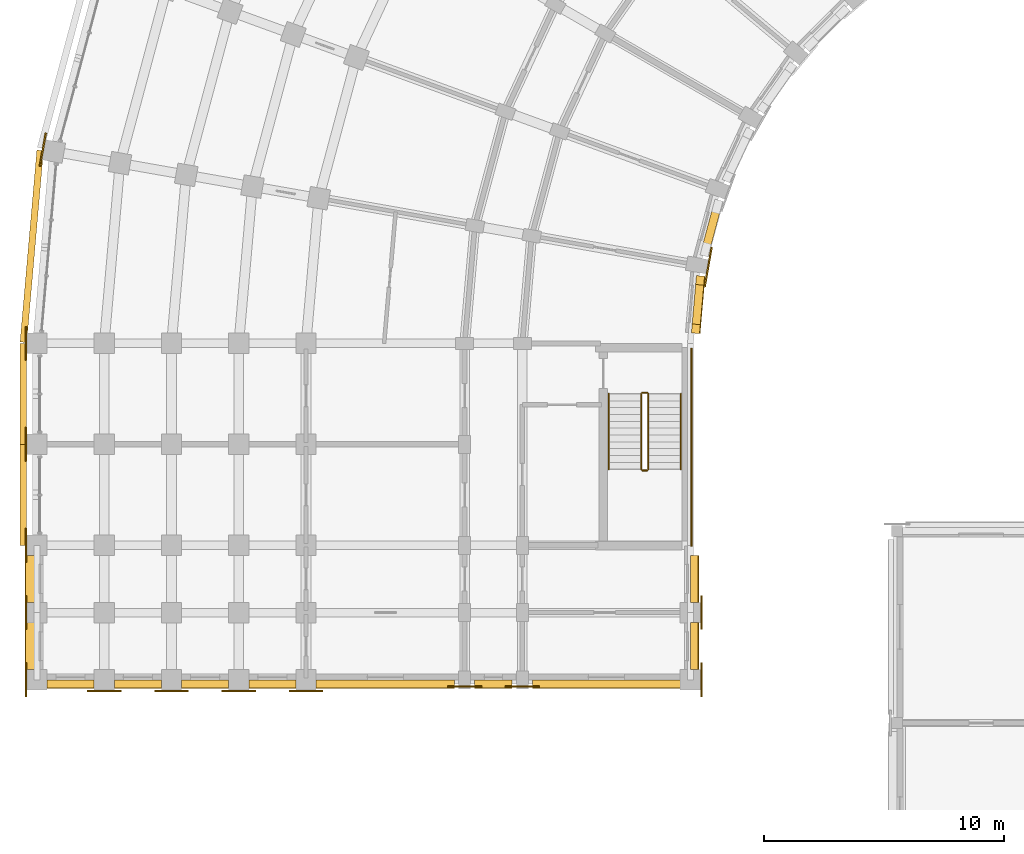
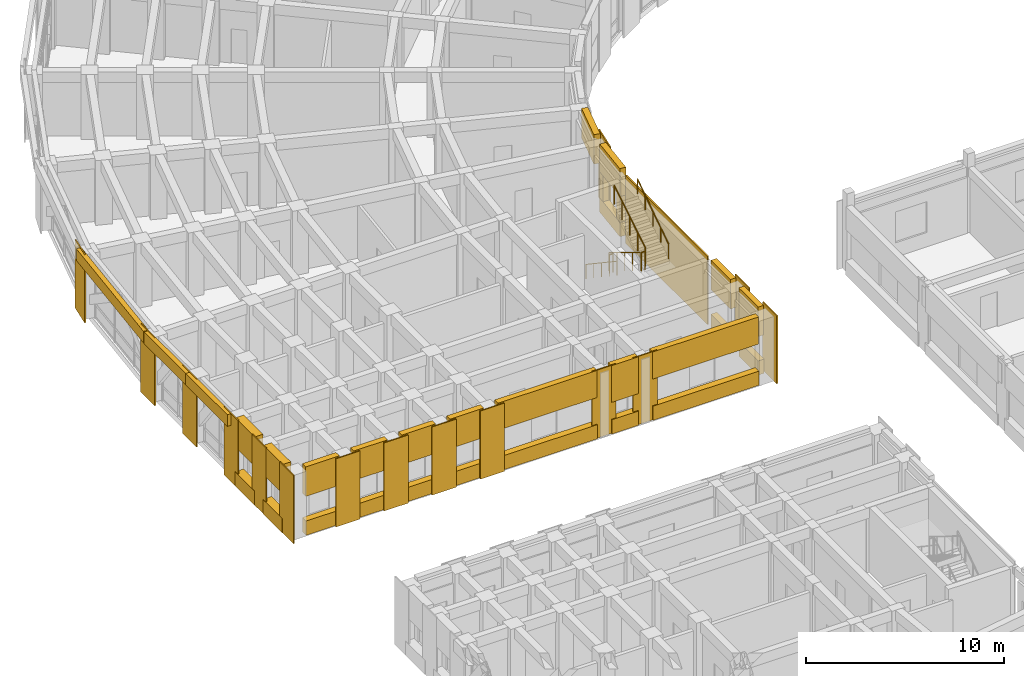
# One storey, part 89 of 97: 46 coverings, 6 railings.
"""IFC4 building model written with IfcOpenShell, lengths in metres."""

from ifc_helpers import new_model, si_unit, direction, frame, origin, origin_2d, place, context, subcontext, project, spatial, polyline, circle, outline, extrude, material, layer, layer_set, type_object, element, save


model = new_model("IFC4")

# Units and contexts
model_context = context("Model", 3, precision=1e-05, world=origin(), true_north=direction((0.0, 1.0)))
body_context = subcontext(model_context, "Body", "Model", "MODEL_VIEW")
ifc_project = project(units=[si_unit("LENGTHUNIT", "METRE"), si_unit("AREAUNIT", "SQUARE_METRE"), si_unit("VOLUMEUNIT", "CUBIC_METRE"), si_unit("PLANEANGLEUNIT", "RADIAN"), si_unit("MASSUNIT", "GRAM", prefix="KILO")], contexts=[model_context])

# Site, building, storey
site_placement = place(None, origin())
site = spatial("IfcSite", under=ifc_project, at=site_placement, CompositionType="ELEMENT")
building_placement = place(site_placement, origin())
building = spatial("IfcBuilding", under=site, at=building_placement, Name="Kiranvali Square Residences", CompositionType="ELEMENT")
storey_placement = place(building_placement, frame((0.0, 0.0, 4.5)))
storey = spatial("IfcBuildingStorey", under=building, at=storey_placement, Name="L01", CompositionType="ELEMENT", Elevation=4.5)

# Coverings
ifc_material_1 = material(Name="Carved Porbandar limestone classical entablature and cornice", Category="masonry")
ifc_layer_1 = layer(ifc_material_1, 0.449951171875)
ifc_layer_set_1 = layer_set([ifc_layer_1], Name="Carved Porbandar limestone classical entablature and cornice")
covering_type_1 = type_object("IfcCoveringType", Name="COV-CLAD-CORN", PredefinedType="CLADDING", material=ifc_layer_set_1)
covering_1_placement = place(storey_placement, frame((0.0, 0.0, 3.47998046875)))
element("IfcCovering", 1, at=covering_1_placement, inside=storey, type_object=covering_type_1, Name="Block A L01 Classical Ottoman arcade entablature 9", PredefinedType="CLADDING", context=body_context, shape_type="SweptSolid", body=[
    extrude(outline(polyline([(2.196533203125, 95.849365234375), (1.49755859375, 87.861328125), (1.774658203125, 87.837158203125), (2.473388671875, 95.824951171875), (2.196533203125, 95.849365234375)])), origin(), (0.0, 0.0, 1.0), 0.715087890625),
])
covering_2_placement = place(storey_placement, frame((0.0, 0.0, 3.47998046875)))
element("IfcCovering", 2, at=covering_2_placement, inside=storey, type_object=covering_type_1, Name="Block A L01 Arm 2 street arcade cornice 1", PredefinedType="CLADDING", context=body_context, shape_type="SweptSolid", body=[
    extrude(outline(polyline([(1.4951171875, 87.800048828125), (1.4951171875, 83.60009765625), (1.77294921875, 83.60009765625), (1.77294921875, 87.800048828125), (1.4951171875, 87.800048828125)])), origin(), (0.0, 0.0, 1.0), 0.715087890625),
])
covering_3_placement = place(storey_placement, frame((0.0, 0.0, 3.47998046875)))
element("IfcCovering", 3, at=covering_3_placement, inside=storey, type_object=covering_type_1, Name="Block A L01 Arm 2 street arcade cornice 2", PredefinedType="CLADDING", context=body_context, shape_type="SweptSolid", body=[
    extrude(outline(polyline([(1.4951171875, 83.60009765625), (1.4951171875, 79.39990234375), (1.77294921875, 79.39990234375), (1.77294921875, 83.60009765625), (1.4951171875, 83.60009765625)])), origin(), (0.0, 0.0, 1.0), 0.715087890625),
])
ifc_material_2 = material(Name="Honed Porbandar limestone ashlar facade cladding", Category="masonry")
ifc_layer_2 = layer(ifc_material_2, 0.3798828125)
ifc_layer_set_2 = layer_set([ifc_layer_2], Name="Honed Porbandar limestone ashlar facade cladding")
covering_type_2 = type_object("IfcCoveringType", Name="COV-CLAD-JAMB", PredefinedType="CLADDING", material=ifc_layer_set_2)
covering_4_placement = place(storey_placement, frame((0.0, 0.0, 0.8798828125)))
element("IfcCovering", 4, at=covering_4_placement, inside=storey, type_object=covering_type_2, Name="L01 deep limestone window jamb reveal A-L01-GDN-08.L", PredefinedType="CLADDING", context=body_context, shape_type="SweptSolid", body=[
    extrude(outline(polyline([(29.647705078125, 90.626220703125), (29.615234375, 90.254150390625), (29.953369140625, 90.224609375), (29.986083984375, 90.5966796875), (29.647705078125, 90.626220703125)])), origin(), (0.0, 0.0, 1.0), 1.60009765625),
])
covering_5_placement = place(storey_placement, frame((0.0, 0.0, 0.8798828125)))
element("IfcCovering", 5, at=covering_5_placement, inside=storey, type_object=covering_type_2, Name="L01 deep limestone window jamb reveal A-L01-GDN-08.R", PredefinedType="CLADDING", context=body_context, shape_type="SweptSolid", body=[
    extrude(outline(polyline([(29.471435546875, 88.6103515625), (29.43896484375, 88.23828125), (29.777099609375, 88.208740234375), (29.8095703125, 88.580810546875), (29.471435546875, 88.6103515625)])), origin(), (0.0, 0.0, 1.0), 1.60009765625),
])
ifc_layer_3 = layer(ifc_material_2, 0.06494140625)
ifc_layer_set_3 = layer_set([ifc_layer_3], Name="Honed Porbandar limestone ashlar facade cladding")
covering_type_3 = type_object("IfcCoveringType", Name="COV-CLAD-PIER", PredefinedType="CLADDING", material=ifc_layer_set_3)
covering_6_placement = place(storey_placement, frame((0.0, 0.0, 0.0048828125)))
element("IfcCovering", 6, at=covering_6_placement, inside=storey, type_object=covering_type_3, Name="Block A L01 Arm 2 stair limestone ashlar cladding", PredefinedType="CLADDING", context=body_context, shape_type="SweptSolid", body=[
    extrude(outline(polyline([(29.402099609375, 87.60009765625), (29.402099609375, 79.35009765625), (29.47998046875, 79.35009765625), (29.47998046875, 87.60009765625), (29.402099609375, 87.60009765625)])), origin(), (0.0, 0.0, 1.0), 4.190185546875),
])
ifc_layer_4 = layer(ifc_material_2, 0.050048828125)
ifc_layer_set_4 = layer_set([ifc_layer_4], Name="Honed Porbandar limestone ashlar facade cladding")
covering_type_4 = type_object("IfcCoveringType", Name="COV-CLAD-PIER-IN", PredefinedType="CLADDING", material=ifc_layer_set_4)
covering_7_placement = place(storey_placement, frame((0.0, 0.0, 0.0048828125)))
element("IfcCovering", 7, at=covering_7_placement, inside=storey, type_object=covering_type_4, Name="L01 Classical garden courtyard pilaster CLAD-PRIN-A-L01-A08", PredefinedType="CLADDING", context=body_context, shape_type="SweptSolid", body=[
    extrude(outline(polyline([(30.02783203125, 90.16650390625), (30.314453125, 91.79150390625), (30.247802734375, 91.80322265625), (29.96142578125, 90.17822265625), (30.02783203125, 90.16650390625)])), origin(), (0.0, 0.0, 1.0), 4.190185546875),
])
covering_8_placement = place(storey_placement, frame((0.0, 0.0, 0.0048828125)))
element("IfcCovering", 8, at=covering_8_placement, inside=storey, type_object=covering_type_4, Name="L01 Classical limestone pilaster casing CLAD-PRA2I-A-L01-V112", PredefinedType="CLADDING", context=body_context, shape_type="SweptSolid", body=[
    extrude(outline(polyline([(29.825439453125, 77.304931640625), (29.825439453125, 75.89501953125), (29.89306640625, 75.89501953125), (29.89306640625, 77.304931640625), (29.825439453125, 77.304931640625)])), origin(), (0.0, 0.0, 1.0), 4.190185546875),
])
covering_9_placement = place(storey_placement, frame((0.0, 0.0, 0.0048828125)))
element("IfcCovering", 9, at=covering_9_placement, inside=storey, type_object=covering_type_4, Name="L01 Classical limestone pilaster casing CLAD-PRA2I-A-L01-V140", PredefinedType="CLADDING", context=body_context, shape_type="SweptSolid", body=[
    extrude(outline(polyline([(29.825439453125, 74.5048828125), (29.825439453125, 73.094970703125), (29.89306640625, 73.094970703125), (29.89306640625, 74.5048828125), (29.825439453125, 74.5048828125)])), origin(), (0.0, 0.0, 1.0), 4.190185546875),
])
ifc_layer_5 = layer(ifc_material_2, 0.054931640625)
ifc_layer_set_5 = layer_set([ifc_layer_5], Name="Honed Porbandar limestone ashlar facade cladding")
covering_type_5 = type_object("IfcCoveringType", Name="COV-CLAD-PIER-UP", PredefinedType="CLADDING", material=ifc_layer_set_5)
covering_10_placement = place(storey_placement, frame((0.0, 0.0, 0.0048828125)))
element("IfcCovering", 10, at=covering_10_placement, inside=storey, type_object=covering_type_5, Name="L01 Classical limestone pilaster casing CLAD-PRA2E-A-L01-R258", PredefinedType="CLADDING", context=body_context, shape_type="SweptSolid", body=[
    extrude(outline(polyline([(23.10498046875, 73.549560546875), (21.695068359375, 73.549560546875), (21.695068359375, 73.48193359375), (23.10498046875, 73.48193359375), (23.10498046875, 73.549560546875)])), origin(), (0.0, 0.0, 1.0), 4.190185546875),
])
covering_11_placement = place(storey_placement, frame((0.0, 0.0, 0.0048828125)))
element("IfcCovering", 11, at=covering_11_placement, inside=storey, type_object=covering_type_5, Name="L01 Classical limestone pilaster casing CLAD-PRA2E-A-L01-R282", PredefinedType="CLADDING", context=body_context, shape_type="SweptSolid", body=[
    extrude(outline(polyline([(20.705078125, 73.549560546875), (19.294921875, 73.549560546875), (19.294921875, 73.48193359375), (20.705078125, 73.48193359375), (20.705078125, 73.549560546875)])), origin(), (0.0, 0.0, 1.0), 4.190185546875),
])
covering_12_placement = place(storey_placement, frame((0.0, 0.0, 0.0048828125)))
element("IfcCovering", 12, at=covering_12_placement, inside=storey, type_object=covering_type_5, Name="L01 Classical limestone pilaster casing CLAD-PRA2E-A-L01-R348", PredefinedType="CLADDING", context=body_context, shape_type="SweptSolid", body=[
    extrude(outline(polyline([(14.10498046875, 73.37451171875), (12.695068359375, 73.37451171875), (12.695068359375, 73.306884765625), (14.10498046875, 73.306884765625), (14.10498046875, 73.37451171875)])), origin(), (0.0, 0.0, 1.0), 4.190185546875),
])
covering_13_placement = place(storey_placement, frame((0.0, 0.0, 0.0048828125)))
element("IfcCovering", 13, at=covering_13_placement, inside=storey, type_object=covering_type_5, Name="L01 Classical limestone pilaster casing CLAD-PRA2E-A-L01-R376", PredefinedType="CLADDING", context=body_context, shape_type="SweptSolid", body=[
    extrude(outline(polyline([(11.304931640625, 73.37451171875), (9.89501953125, 73.37451171875), (9.89501953125, 73.306884765625), (11.304931640625, 73.306884765625), (11.304931640625, 73.37451171875)])), origin(), (0.0, 0.0, 1.0), 4.190185546875),
])
covering_14_placement = place(storey_placement, frame((0.0, 0.0, 0.0048828125)))
element("IfcCovering", 14, at=covering_14_placement, inside=storey, type_object=covering_type_5, Name="L01 Classical limestone pilaster casing CLAD-PRA2E-A-L01-R404", PredefinedType="CLADDING", context=body_context, shape_type="SweptSolid", body=[
    extrude(outline(polyline([(8.5048828125, 73.37451171875), (7.094970703125, 73.37451171875), (7.094970703125, 73.306884765625), (8.5048828125, 73.306884765625), (8.5048828125, 73.37451171875)])), origin(), (0.0, 0.0, 1.0), 4.190185546875),
])
covering_15_placement = place(storey_placement, frame((0.0, 0.0, 0.0048828125)))
element("IfcCovering", 15, at=covering_15_placement, inside=storey, type_object=covering_type_5, Name="L01 Classical limestone pilaster casing CLAD-PRA2E-A-L01-R432", PredefinedType="CLADDING", context=body_context, shape_type="SweptSolid", body=[
    extrude(outline(polyline([(5.705078125, 73.37451171875), (4.294921875, 73.37451171875), (4.294921875, 73.306884765625), (5.705078125, 73.306884765625), (5.705078125, 73.37451171875)])), origin(), (0.0, 0.0, 1.0), 4.190185546875),
])
ifc_material_3 = material(Name="Alternating Deccan basalt and Porbandar limestone rusticated plinth ashlar", Category="masonry")
ifc_layer_6 = layer(ifc_material_3, 0.0849609375)
ifc_layer_set_6 = layer_set([ifc_layer_6], Name="Alternating Deccan basalt and Porbandar limestone rusticated plinth ashlar")
covering_type_6 = type_object("IfcCoveringType", Name="COV-CLAD-PLINTH", PredefinedType="CLADDING", material=ifc_layer_set_6)
covering_16_placement = place(storey_placement, frame((0.0, 0.0, 0.0048828125)))
element("IfcCovering", 16, at=covering_16_placement, inside=storey, type_object=covering_type_6, Name="L01 rusticated Ottoman arcade pier CLAD-PR-A-L01-A08", PredefinedType="CLADDING", context=body_context, shape_type="SweptSolid", body=[
    extrude(outline(polyline([(2.53564453125, 96.567626953125), (2.291015625, 95.17919921875), (2.357421875, 95.16748046875), (2.602294921875, 96.555908203125), (2.53564453125, 96.567626953125)])), origin(), (0.0, 0.0, 1.0), 4.190185546875),
])
covering_17_placement = place(storey_placement, frame((0.0, 0.0, 0.0048828125)))
element("IfcCovering", 17, at=covering_17_placement, inside=storey, type_object=covering_type_6, Name="L01 rusticated Ottoman arcade pier CLAD-PR-A-L01-A09", PredefinedType="CLADDING", context=body_context, shape_type="SweptSolid", body=[
    extrude(outline(polyline([(1.70703125, 88.5048828125), (1.70703125, 87.094970703125), (1.7744140625, 87.094970703125), (1.7744140625, 88.5048828125), (1.70703125, 88.5048828125)])), origin(), (0.0, 0.0, 1.0), 4.190185546875),
])
covering_18_placement = place(storey_placement, frame((0.0, 0.0, 0.0048828125)))
element("IfcCovering", 18, at=covering_18_placement, inside=storey, type_object=covering_type_6, Name="L01 Classical limestone pilaster casing CLAD-PR-A-L01-V42", PredefinedType="CLADDING", context=body_context, shape_type="SweptSolid", body=[
    extrude(outline(polyline([(1.70703125, 84.304931640625), (1.70703125, 82.89501953125), (1.7744140625, 82.89501953125), (1.7744140625, 84.304931640625), (1.70703125, 84.304931640625)])), origin(), (0.0, 0.0, 1.0), 4.190185546875),
])
covering_19_placement = place(storey_placement, frame((0.0, 0.0, 0.0048828125)))
element("IfcCovering", 19, at=covering_19_placement, inside=storey, type_object=covering_type_6, Name="L01 Classical limestone pilaster casing CLAD-PR-A-L01-V84", PredefinedType="CLADDING", context=body_context, shape_type="SweptSolid", body=[
    extrude(outline(polyline([(1.70703125, 80.10498046875), (1.70703125, 78.695068359375), (1.7744140625, 78.695068359375), (1.7744140625, 80.10498046875), (1.70703125, 80.10498046875)])), origin(), (0.0, 0.0, 1.0), 4.190185546875),
])
covering_20_placement = place(storey_placement, frame((0.0, 0.0, 0.0048828125)))
element("IfcCovering", 20, at=covering_20_placement, inside=storey, type_object=covering_type_6, Name="L01 Classical limestone pilaster casing CLAD-PR-A-L01-V112", PredefinedType="CLADDING", context=body_context, shape_type="SweptSolid", body=[
    extrude(outline(polyline([(1.70703125, 77.304931640625), (1.70703125, 75.89501953125), (1.7744140625, 75.89501953125), (1.7744140625, 77.304931640625), (1.70703125, 77.304931640625)])), origin(), (0.0, 0.0, 1.0), 4.190185546875),
])
covering_21_placement = place(storey_placement, frame((0.0, 0.0, 0.0048828125)))
element("IfcCovering", 21, at=covering_21_placement, inside=storey, type_object=covering_type_6, Name="L01 Classical limestone pilaster casing CLAD-PR-A-L01-V140", PredefinedType="CLADDING", context=body_context, shape_type="SweptSolid", body=[
    extrude(outline(polyline([(1.70703125, 74.5048828125), (1.70703125, 73.094970703125), (1.7744140625, 73.094970703125), (1.7744140625, 74.5048828125), (1.70703125, 74.5048828125)])), origin(), (0.0, 0.0, 1.0), 4.190185546875),
])
ifc_layer_7 = layer(ifc_material_2, 0.360107421875)
ifc_layer_set_7 = layer_set([ifc_layer_7], Name="Honed Porbandar limestone ashlar facade cladding")
covering_type_7 = type_object("IfcCoveringType", Name="COV-CLAD-WALL", PredefinedType="CLADDING", material=ifc_layer_set_7)
covering_22_placement = place(storey_placement, frame((0.0, 0.0, 2.3798828125)))
element("IfcCovering", 22, at=covering_22_placement, inside=storey, type_object=covering_type_7, Name="L01 light limestone spandrel lintel A-L01-GDN-07", PredefinedType="CLADDING", context=body_context, shape_type="SweptSolid", body=[
    extrude(outline(polyline([(30.42041015625, 93.804931640625), (29.800048828125, 91.489501953125), (30.1279296875, 91.401611328125), (30.748291015625, 93.717041015625), (30.42041015625, 93.804931640625)])), origin(), (0.0, 0.0, 1.0), 1.815185546875),
])
covering_23_placement = place(storey_placement, frame((0.0, 0.0, 2.47998046875)))
element("IfcCovering", 23, at=covering_23_placement, inside=storey, type_object=covering_type_7, Name="L01 light limestone spandrel lintel A-L01-GDN-08", PredefinedType="CLADDING", context=body_context, shape_type="SweptSolid", body=[
    extrude(outline(polyline([(29.647705078125, 90.626220703125), (29.43896484375, 88.23828125), (29.777099609375, 88.208740234375), (29.986083984375, 90.5966796875), (29.647705078125, 90.626220703125)])), origin(), (0.0, 0.0, 1.0), 1.715087890625),
])
covering_24_placement = place(storey_placement, frame((0.0, 0.0, 2.3798828125)))
element("IfcCovering", 24, at=covering_24_placement, inside=storey, type_object=covering_type_7, Name="L01 light limestone spandrel lintel A-L01-A2O-2", PredefinedType="CLADDING", context=body_context, shape_type="SweptSolid", body=[
    extrude(outline(polyline([(1.72509765625, 78.97998046875), (1.72509765625, 77.02001953125), (2.199462890625, 77.02001953125), (2.199462890625, 78.97998046875), (1.72509765625, 78.97998046875)])), origin(), (0.0, 0.0, 1.0), 1.815185546875),
])
covering_25_placement = place(storey_placement, frame((0.0, 0.0, 0.0048828125)))
element("IfcCovering", 25, at=covering_25_placement, inside=storey, type_object=covering_type_7, Name="L01 limestone window sill apron A-L01-A2O-2", PredefinedType="CLADDING", context=body_context, shape_type="SweptSolid", body=[
    extrude(outline(polyline([(1.695068359375, 78.97998046875), (1.695068359375, 77.02001953125), (2.199462890625, 77.02001953125), (2.199462890625, 78.97998046875), (1.695068359375, 78.97998046875)])), origin(), (0.0, 0.0, 1.0), 0.875),
])
covering_26_placement = place(storey_placement, frame((0.0, 0.0, 2.3798828125)))
element("IfcCovering", 26, at=covering_26_placement, inside=storey, type_object=covering_type_7, Name="L01 light limestone spandrel lintel A-L01-A2O-3", PredefinedType="CLADDING", context=body_context, shape_type="SweptSolid", body=[
    extrude(outline(polyline([(1.72509765625, 76.179931640625), (1.72509765625, 74.219970703125), (2.199462890625, 74.219970703125), (2.199462890625, 76.179931640625), (1.72509765625, 76.179931640625)])), origin(), (0.0, 0.0, 1.0), 1.815185546875),
])
covering_27_placement = place(storey_placement, frame((0.0, 0.0, 0.0048828125)))
element("IfcCovering", 27, at=covering_27_placement, inside=storey, type_object=covering_type_7, Name="L01 limestone window sill apron A-L01-A2O-3", PredefinedType="CLADDING", context=body_context, shape_type="SweptSolid", body=[
    extrude(outline(polyline([(1.695068359375, 76.179931640625), (1.695068359375, 74.219970703125), (2.199462890625, 74.219970703125), (2.199462890625, 76.179931640625), (1.695068359375, 76.179931640625)])), origin(), (0.0, 0.0, 1.0), 0.875),
])
covering_28_placement = place(storey_placement, frame((0.0, 0.0, 2.3798828125)))
element("IfcCovering", 28, at=covering_28_placement, inside=storey, type_object=covering_type_7, Name="L01 light limestone spandrel lintel A-L01-A2I-0", PredefinedType="CLADDING", context=body_context, shape_type="SweptSolid", body=[
    extrude(outline(polyline([(29.400390625, 78.97998046875), (29.400390625, 77.02001953125), (29.719970703125, 77.02001953125), (29.719970703125, 78.97998046875), (29.400390625, 78.97998046875)])), origin(), (0.0, 0.0, 1.0), 1.815185546875),
])
covering_29_placement = place(storey_placement, frame((0.0, 0.0, 0.0048828125)))
element("IfcCovering", 29, at=covering_29_placement, inside=storey, type_object=covering_type_7, Name="L01 limestone window sill apron A-L01-A2I-0", PredefinedType="CLADDING", context=body_context, shape_type="SweptSolid", body=[
    extrude(outline(polyline([(29.400390625, 78.97998046875), (29.400390625, 77.02001953125), (29.75, 77.02001953125), (29.75, 78.97998046875), (29.400390625, 78.97998046875)])), origin(), (0.0, 0.0, 1.0), 0.875),
])
covering_30_placement = place(storey_placement, frame((0.0, 0.0, 2.3798828125)))
element("IfcCovering", 30, at=covering_30_placement, inside=storey, type_object=covering_type_7, Name="L01 light limestone spandrel lintel A-L01-A2I-1", PredefinedType="CLADDING", context=body_context, shape_type="SweptSolid", body=[
    extrude(outline(polyline([(29.400390625, 76.179931640625), (29.400390625, 74.219970703125), (29.719970703125, 74.219970703125), (29.719970703125, 76.179931640625), (29.400390625, 76.179931640625)])), origin(), (0.0, 0.0, 1.0), 1.815185546875),
])
covering_31_placement = place(storey_placement, frame((0.0, 0.0, 0.0048828125)))
element("IfcCovering", 31, at=covering_31_placement, inside=storey, type_object=covering_type_7, Name="L01 limestone window sill apron A-L01-A2I-1", PredefinedType="CLADDING", context=body_context, shape_type="SweptSolid", body=[
    extrude(outline(polyline([(29.400390625, 76.179931640625), (29.400390625, 74.219970703125), (29.75, 74.219970703125), (29.75, 76.179931640625), (29.400390625, 76.179931640625)])), origin(), (0.0, 0.0, 1.0), 0.875),
])
covering_32_placement = place(storey_placement, frame((0.0, 0.0, 2.530029296875)))
element("IfcCovering", 32, at=covering_32_placement, inside=storey, type_object=covering_type_7, Name="L01 light limestone spandrel lintel A-L01-A2END-0", PredefinedType="CLADDING", context=body_context, shape_type="SweptSolid", body=[
    extrude(outline(polyline([(28.97998046875, 73.799560546875), (22.820068359375, 73.799560546875), (22.820068359375, 73.4599609375), (28.97998046875, 73.4599609375), (28.97998046875, 73.799560546875)])), origin(), (0.0, 0.0, 1.0), 1.6650390625),
])
covering_33_placement = place(storey_placement, frame((0.0, 0.0, 0.0048828125)))
element("IfcCovering", 33, at=covering_33_placement, inside=storey, type_object=covering_type_7, Name="L01 limestone window sill apron A-L01-A2END-0", PredefinedType="CLADDING", context=body_context, shape_type="SweptSolid", body=[
    extrude(outline(polyline([(28.97998046875, 73.799560546875), (22.820068359375, 73.799560546875), (22.820068359375, 73.429931640625), (28.97998046875, 73.429931640625), (28.97998046875, 73.799560546875)])), origin(), (0.0, 0.0, 1.0), 0.875),
])
covering_34_placement = place(storey_placement, frame((0.0, 0.0, 1.929931640625)))
element("IfcCovering", 34, at=covering_34_placement, inside=storey, type_object=covering_type_7, Name="L01 light limestone spandrel lintel A-L01-A2END-1", PredefinedType="CLADDING", context=body_context, shape_type="SweptSolid", body=[
    extrude(outline(polyline([(21.97998046875, 73.799560546875), (20.419921875, 73.799560546875), (20.419921875, 73.4599609375), (21.97998046875, 73.4599609375), (21.97998046875, 73.799560546875)])), origin(), (0.0, 0.0, 1.0), 2.26513671875),
])
covering_35_placement = place(storey_placement, frame((0.0, 0.0, 0.0048828125)))
element("IfcCovering", 35, at=covering_35_placement, inside=storey, type_object=covering_type_7, Name="L01 limestone window sill apron A-L01-A2END-1", PredefinedType="CLADDING", context=body_context, shape_type="SweptSolid", body=[
    extrude(outline(polyline([(21.97998046875, 73.799560546875), (20.419921875, 73.799560546875), (20.419921875, 73.429931640625), (21.97998046875, 73.429931640625), (21.97998046875, 73.799560546875)])), origin(), (0.0, 0.0, 1.0), 0.875),
])
covering_36_placement = place(storey_placement, frame((0.0, 0.0, 2.530029296875)))
element("IfcCovering", 36, at=covering_36_placement, inside=storey, type_object=covering_type_7, Name="L01 light limestone spandrel lintel A-L01-A2END-2", PredefinedType="CLADDING", context=body_context, shape_type="SweptSolid", body=[
    extrude(outline(polyline([(19.580078125, 73.799560546875), (13.820068359375, 73.799560546875), (13.820068359375, 73.4599609375), (19.580078125, 73.4599609375), (19.580078125, 73.799560546875)])), origin(), (0.0, 0.0, 1.0), 1.6650390625),
])
covering_37_placement = place(storey_placement, frame((0.0, 0.0, 0.0048828125)))
element("IfcCovering", 37, at=covering_37_placement, inside=storey, type_object=covering_type_7, Name="L01 limestone window sill apron A-L01-A2END-2", PredefinedType="CLADDING", context=body_context, shape_type="SweptSolid", body=[
    extrude(outline(polyline([(19.580078125, 73.799560546875), (13.820068359375, 73.799560546875), (13.820068359375, 73.429931640625), (19.580078125, 73.429931640625), (19.580078125, 73.799560546875)])), origin(), (0.0, 0.0, 1.0), 0.875),
])
covering_38_placement = place(storey_placement, frame((0.0, 0.0, 2.3798828125)))
element("IfcCovering", 38, at=covering_38_placement, inside=storey, type_object=covering_type_7, Name="L01 light limestone spandrel lintel A-L01-A2END-3", PredefinedType="CLADDING", context=body_context, shape_type="SweptSolid", body=[
    extrude(outline(polyline([(12.97998046875, 73.799560546875), (11.02001953125, 73.799560546875), (11.02001953125, 73.4599609375), (12.97998046875, 73.4599609375), (12.97998046875, 73.799560546875)])), origin(), (0.0, 0.0, 1.0), 1.815185546875),
])
covering_39_placement = place(storey_placement, frame((0.0, 0.0, 0.0048828125)))
element("IfcCovering", 39, at=covering_39_placement, inside=storey, type_object=covering_type_7, Name="L01 limestone window sill apron A-L01-A2END-3", PredefinedType="CLADDING", context=body_context, shape_type="SweptSolid", body=[
    extrude(outline(polyline([(12.97998046875, 73.799560546875), (11.02001953125, 73.799560546875), (11.02001953125, 73.429931640625), (12.97998046875, 73.429931640625), (12.97998046875, 73.799560546875)])), origin(), (0.0, 0.0, 1.0), 0.875),
])
covering_40_placement = place(storey_placement, frame((0.0, 0.0, 2.3798828125)))
element("IfcCovering", 40, at=covering_40_placement, inside=storey, type_object=covering_type_7, Name="L01 light limestone spandrel lintel A-L01-A2END-4", PredefinedType="CLADDING", context=body_context, shape_type="SweptSolid", body=[
    extrude(outline(polyline([(10.179931640625, 73.799560546875), (8.219970703125, 73.799560546875), (8.219970703125, 73.4599609375), (10.179931640625, 73.4599609375), (10.179931640625, 73.799560546875)])), origin(), (0.0, 0.0, 1.0), 1.815185546875),
])
covering_41_placement = place(storey_placement, frame((0.0, 0.0, 0.0048828125)))
element("IfcCovering", 41, at=covering_41_placement, inside=storey, type_object=covering_type_7, Name="L01 limestone window sill apron A-L01-A2END-4", PredefinedType="CLADDING", context=body_context, shape_type="SweptSolid", body=[
    extrude(outline(polyline([(10.179931640625, 73.799560546875), (8.219970703125, 73.799560546875), (8.219970703125, 73.429931640625), (10.179931640625, 73.429931640625), (10.179931640625, 73.799560546875)])), origin(), (0.0, 0.0, 1.0), 0.875),
])
covering_42_placement = place(storey_placement, frame((0.0, 0.0, 2.3798828125)))
element("IfcCovering", 42, at=covering_42_placement, inside=storey, type_object=covering_type_7, Name="L01 light limestone spandrel lintel A-L01-A2END-5", PredefinedType="CLADDING", context=body_context, shape_type="SweptSolid", body=[
    extrude(outline(polyline([(7.3798828125, 73.799560546875), (5.419921875, 73.799560546875), (5.419921875, 73.4599609375), (7.3798828125, 73.4599609375), (7.3798828125, 73.799560546875)])), origin(), (0.0, 0.0, 1.0), 1.815185546875),
])
covering_43_placement = place(storey_placement, frame((0.0, 0.0, 0.0048828125)))
element("IfcCovering", 43, at=covering_43_placement, inside=storey, type_object=covering_type_7, Name="L01 limestone window sill apron A-L01-A2END-5", PredefinedType="CLADDING", context=body_context, shape_type="SweptSolid", body=[
    extrude(outline(polyline([(7.3798828125, 73.799560546875), (5.419921875, 73.799560546875), (5.419921875, 73.429931640625), (7.3798828125, 73.429931640625), (7.3798828125, 73.799560546875)])), origin(), (0.0, 0.0, 1.0), 0.875),
])
covering_44_placement = place(storey_placement, frame((0.0, 0.0, 2.3798828125)))
element("IfcCovering", 44, at=covering_44_placement, inside=storey, type_object=covering_type_7, Name="L01 light limestone spandrel lintel A-L01-A2END-6", PredefinedType="CLADDING", context=body_context, shape_type="SweptSolid", body=[
    extrude(outline(polyline([(4.580078125, 73.799560546875), (2.6201171875, 73.799560546875), (2.6201171875, 73.4599609375), (4.580078125, 73.4599609375), (4.580078125, 73.799560546875)])), origin(), (0.0, 0.0, 1.0), 1.815185546875),
])
covering_45_placement = place(storey_placement, frame((0.0, 0.0, 0.0048828125)))
element("IfcCovering", 45, at=covering_45_placement, inside=storey, type_object=covering_type_7, Name="L01 limestone window sill apron A-L01-A2END-6", PredefinedType="CLADDING", context=body_context, shape_type="SweptSolid", body=[
    extrude(outline(polyline([(4.580078125, 73.799560546875), (2.6201171875, 73.799560546875), (2.6201171875, 73.429931640625), (4.580078125, 73.429931640625), (4.580078125, 73.799560546875)])), origin(), (0.0, 0.0, 1.0), 0.875),
])
ifc_layer_8 = layer(ifc_material_2, 0.2900390625)
ifc_layer_set_8 = layer_set([ifc_layer_8], Name="Honed Porbandar limestone ashlar facade cladding")
covering_type_8 = type_object("IfcCoveringType", Name="COV-CLAD-WALL-IN", PredefinedType="CLADDING", material=ifc_layer_set_8)
covering_46_placement = place(storey_placement, frame((0.0, 0.0, 0.0048828125)))
element("IfcCovering", 46, at=covering_46_placement, inside=storey, type_object=covering_type_8, Name="L01 limestone window sill apron A-L01-GDN-08", PredefinedType="CLADDING", context=body_context, shape_type="SweptSolid", body=[
    extrude(outline(polyline([(29.647705078125, 90.626220703125), (29.43896484375, 88.23828125), (29.806884765625, 88.2060546875), (30.015869140625, 90.593994140625), (29.647705078125, 90.626220703125)])), origin(), (0.0, 0.0, 1.0), 0.875),
])

# Railings
ifc_material_4 = material(Name="Brushed stainless steel tubular handrail", Category="steel")
railing_type_1 = type_object("IfcRailingType", Name="RL-HANDRAIL-900", PredefinedType="HANDRAIL", material=ifc_material_4)
railing_1_placement = place(storey_placement, frame((26.0, 85.699951171875, 0.175048828125)))
element("IfcRailing", 47, at=railing_1_placement, inside=storey, type_object=railing_type_1, Name="L01 ST-A3 stair handrail 1", PredefinedType="HANDRAIL", context=body_context, shape_type="SweptSolid", body=[
    extrude(circle(Radius=0.02392578125, at=origin_2d()), frame((0.0, 0.0, 0.8759765625), z_axis=(0.0, -0.830843872262, 0.556505579419), x_axis=(1.0, 0.0, 0.0)), (0.0, 0.0, 1.0), 3.773193359375),
    extrude(circle(Radius=0.02099609375, at=origin_2d()), origin(), (0.0, 0.0, 1.0), 0.851806640625),
    extrude(circle(Radius=0.02099609375, at=origin_2d()), frame((0.0, -0.78369140625, 0.52490234375)), (0.0, 0.0, 1.0), 0.851806640625),
    extrude(circle(Radius=0.02099609375, at=origin_2d()), frame((0.0, -1.5673828125, 1.0498046875)), (0.0, 0.0, 1.0), 0.851806640625),
    extrude(circle(Radius=0.02099609375, at=origin_2d()), frame((0.0, -2.351318359375, 1.574951171875)), (0.0, 0.0, 1.0), 0.851806640625),
    extrude(circle(Radius=0.02099609375, at=origin_2d()), frame((0.0, -3.135009765625, 2.099853515625)), (0.0, 0.0, 1.0), 0.851806640625),
])
railing_2_placement = place(storey_placement, frame((29.0, 82.56494140625, 2.27490234375)))
element("IfcRailing", 48, at=railing_2_placement, inside=storey, type_object=railing_type_1, Name="L01 ST-A3 stair handrail 2", PredefinedType="HANDRAIL", context=body_context, shape_type="SweptSolid", body=[
    extrude(circle(Radius=0.02392578125, at=origin_2d()), frame((0.0, 0.0, 0.8759765625), z_axis=(0.0, 0.830813955726, 0.556550241192), x_axis=(-1.0, 0.0, 0.0)), (0.0, 0.0, 1.0), 3.7734375),
    extrude(circle(Radius=0.02099609375, at=origin_2d()), origin(), (0.0, 0.0, 1.0), 0.851806640625),
    extrude(circle(Radius=0.02099609375, at=origin_2d()), frame((0.0, 0.78369140625, 0.52490234375)), (0.0, 0.0, 1.0), 0.851806640625),
    extrude(circle(Radius=0.02099609375, at=origin_2d()), frame((0.0, 1.5673828125, 1.050048828125)), (0.0, 0.0, 1.0), 0.851806640625),
    extrude(circle(Radius=0.02099609375, at=origin_2d()), frame((0.0, 2.351318359375, 1.5751953125)), (0.0, 0.0, 1.0), 0.851806640625),
    extrude(circle(Radius=0.02099609375, at=origin_2d()), frame((0.0, 3.135009765625, 2.10009765625)), (0.0, 0.0, 1.0), 0.851806640625),
])
ifc_material_5 = material(Name="Powder-coated architectural bronze balustrade", Category="steel")
railing_type_2 = type_object("IfcRailingType", Name="RL-ST-GUARD-1200", PredefinedType="GUARDRAIL", material=ifc_material_5)
railing_3_placement = place(storey_placement, frame((27.35009765625, 85.699951171875, 0.175048828125)))
element("IfcRailing", 49, at=railing_3_placement, inside=storey, type_object=railing_type_2, Name="L01 ST-A3 stair guard 1", PredefinedType="GUARDRAIL", context=body_context, shape_type="SweptSolid", body=[
    extrude(circle(Radius=0.02392578125, at=origin_2d()), frame((0.0, 0.0, 1.1259765625), z_axis=(0.0, -0.852166034122, 0.523271488128), x_axis=(1.0, 0.0, 0.0)), (0.0, 0.0, 1.0), 3.678955078125),
    extrude(circle(Radius=0.02099609375, at=origin_2d()), origin(), (0.0, 0.0, 1.0), 1.101806640625),
    extrude(circle(Radius=0.02099609375, at=origin_2d()), frame((0.0, -0.78369140625, 0.481201171875)), (0.0, 0.0, 1.0), 1.101806640625),
    extrude(circle(Radius=0.02099609375, at=origin_2d()), frame((0.0, -1.5673828125, 0.96240234375)), (0.0, 0.0, 1.0), 1.101806640625),
    extrude(circle(Radius=0.02099609375, at=origin_2d()), frame((0.0, -2.351318359375, 1.44384765625)), (0.0, 0.0, 1.0), 1.101806640625),
    extrude(circle(Radius=0.02099609375, at=origin_2d()), frame((0.0, -3.135009765625, 1.925048828125)), (0.0, 0.0, 1.0), 1.101806640625),
])
railing_4_placement = place(storey_placement, frame((27.39990234375, 82.514892578125, 2.10009765625)))
element("IfcRailing", 50, at=railing_4_placement, inside=storey, type_object=railing_type_2, Name="L01 ST-A3 stair guard 2", PredefinedType="GUARDRAIL", context=body_context, shape_type="SweptSolid", body=[
    extrude(circle(Radius=0.02392578125, at=origin_2d()), frame((0.0, 0.0, 1.1259765625), z_axis=(1.0, 0.0, 0.0), x_axis=(0.0, 1.0, 0.0)), (0.0, 0.0, 1.0), 0.2001953125),
    extrude(circle(Radius=0.02099609375, at=origin_2d()), origin(), (0.0, 0.0, 1.0), 1.101806640625),
    extrude(circle(Radius=0.02099609375, at=origin_2d()), frame((0.2001953125, 0.0, 0.0)), (0.0, 0.0, 1.0), 1.101806640625),
])
railing_5_placement = place(storey_placement, frame((27.64990234375, 82.56494140625, 2.27490234375)))
element("IfcRailing", 51, at=railing_5_placement, inside=storey, type_object=railing_type_2, Name="L01 ST-A3 stair guard 3", PredefinedType="GUARDRAIL", context=body_context, shape_type="SweptSolid", body=[
    extrude(circle(Radius=0.02392578125, at=origin_2d()), frame((0.0, 0.0, 1.1259765625), z_axis=(0.0, 0.852166034122, 0.523271488128), x_axis=(-1.0, 0.0, 0.0)), (0.0, 0.0, 1.0), 3.678955078125),
    extrude(circle(Radius=0.02099609375, at=origin_2d()), origin(), (0.0, 0.0, 1.0), 1.101806640625),
    extrude(circle(Radius=0.02099609375, at=origin_2d()), frame((0.0, 0.78369140625, 0.481201171875)), (0.0, 0.0, 1.0), 1.101806640625),
    extrude(circle(Radius=0.02099609375, at=origin_2d()), frame((0.0, 1.5673828125, 0.96240234375)), (0.0, 0.0, 1.0), 1.101806640625),
    extrude(circle(Radius=0.02099609375, at=origin_2d()), frame((0.0, 2.351318359375, 1.44384765625)), (0.0, 0.0, 1.0), 1.101806640625),
    extrude(circle(Radius=0.02099609375, at=origin_2d()), frame((0.0, 3.135009765625, 1.925048828125)), (0.0, 0.0, 1.0), 1.101806640625),
])
railing_6_placement = place(storey_placement, frame((27.39990234375, 85.75, 0.0)))
element("IfcRailing", 52, at=railing_6_placement, inside=storey, type_object=railing_type_2, Name="L01 ST-A3 stair guard 4", PredefinedType="GUARDRAIL", context=body_context, shape_type="SweptSolid", body=[
    extrude(circle(Radius=0.02392578125, at=origin_2d()), frame((0.0, 0.0, 1.1259765625), z_axis=(1.0, 0.0, 0.0), x_axis=(0.0, 1.0, 0.0)), (0.0, 0.0, 1.0), 0.2001953125),
    extrude(circle(Radius=0.02099609375, at=origin_2d()), origin(), (0.0, 0.0, 1.0), 1.101806640625),
    extrude(circle(Radius=0.02099609375, at=origin_2d()), frame((0.2001953125, 0.0, 0.0)), (0.0, 0.0, 1.0), 1.101806640625),
])

save(model, "model.ifc")
